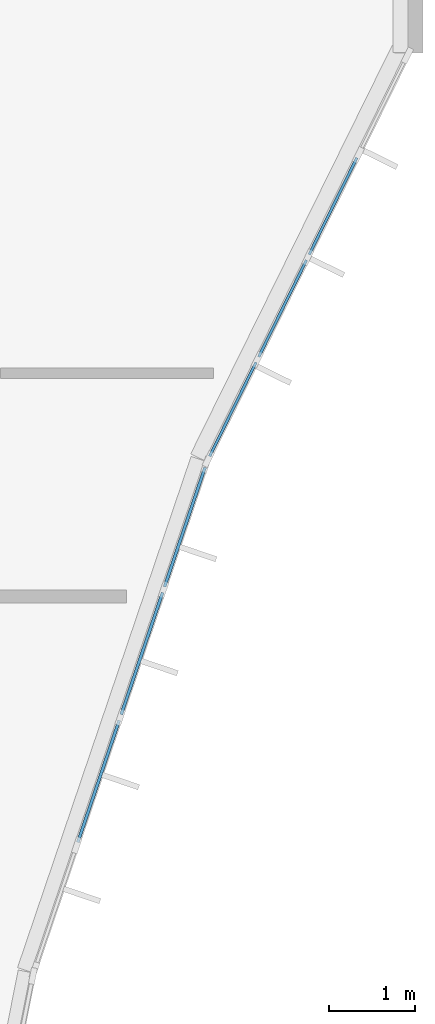
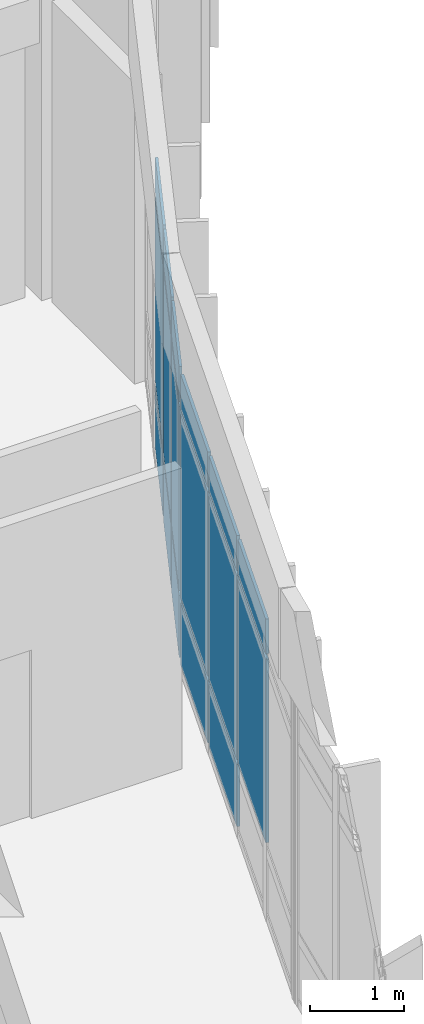
# One storey, part 71 of 119: 17 plates, 2 elements without a shape of their own.
"""IFC4 building model written with IfcOpenShell, lengths in metres."""

from ifc_helpers import new_model, si_unit, direction, frame, origin, origin_2d, place, context, subcontext, project, spatial, rectangle, extrude, material, layer, layer_set, type_object, element, aggregate, save


model = new_model("IFC4")

# Units and contexts
model_context = context("Model", 3, precision=1e-05, world=origin(), true_north=direction((0.0, 1.0)))
body_context = subcontext(model_context, "Body", "Model", "MODEL_VIEW")
ifc_project = project(units=[si_unit("LENGTHUNIT", "METRE"), si_unit("AREAUNIT", "SQUARE_METRE"), si_unit("VOLUMEUNIT", "CUBIC_METRE"), si_unit("PLANEANGLEUNIT", "RADIAN"), si_unit("MASSUNIT", "GRAM", prefix="KILO")], contexts=[model_context])

# Site, building, storey
site_placement = place(None, origin())
site = spatial("IfcSite", under=ifc_project, at=site_placement, CompositionType="ELEMENT")
building_placement = place(site_placement, origin())
building = spatial("IfcBuilding", under=site, at=building_placement, Name="Bramfleet General Hospital", CompositionType="ELEMENT")
storey_placement = place(building_placement, frame((0.0, 0.0, 14.39990234375)))
storey = spatial("IfcBuildingStorey", under=building, at=storey_placement, Name="L03", CompositionType="ELEMENT", Elevation=14.39990234375)

# Curtain wall, plates
ifc_material_1 = material(Name="Anodised aluminium and low-E triple glazing", Category="aluminium")
ifc_layer_1 = layer(ifc_material_1, 0.179931640625, Name="CWT-CW-14")
ifc_layer_set_1 = layer_set([ifc_layer_1], Name="Anodised aluminium and low-E triple glazing")
curtain_wall_type_1 = type_object("IfcCurtainWallType", Name="CWT-CW-14", PredefinedType="USERDEFINED", material=ifc_layer_set_1)
curtain_wall_1_placement = place(storey_placement, origin())
curtain_wall_1 = element("IfcCurtainWall", 1, at=curtain_wall_1_placement, inside=storey, type_object=curtain_wall_type_1, Name="L03 Curtain Wall 158", ObjectType="Stick curtain wall", PredefinedType="USERDEFINED")
ifc_material_2 = material(Name="Low-E laminated safety glass", Category="glass")
ifc_layer_2 = layer(ifc_material_2, 0.031982421875, Name="CWP-GLZ-2")
ifc_layer_set_2 = layer_set([ifc_layer_2], Name="Low-E laminated safety glass")
plate_type_1 = type_object("IfcPlateType", Name="CWP-GLZ-2", PredefinedType="CURTAIN_PANEL", material=ifc_layer_set_2)
plate_1_placement = place(storey_placement, frame((133.520263671875, 63.342041015625, 0.06494140625), z_axis=(0.0, 0.0, 1.0), x_axis=(-0.442304948782, -0.896864723513, 0.0)))
plate_1 = element("IfcPlate", 2, at=plate_1_placement, type_object=plate_type_1, Name="CW-14 panel 2.1", PredefinedType="CURTAIN_PANEL", context=body_context, shape_type="SweptSolid", body=[
    extrude(rectangle(XDim=1.256103515625, YDim=0.031982421875, at=origin_2d()), origin(), (0.0, 0.0, 1.0), 0.802490234375),
])
plate_2_placement = place(storey_placement, frame((133.520263671875, 63.342041015625, 0.9326171875), z_axis=(0.0, 0.0, 1.0), x_axis=(-0.442304948782, -0.896864723513, 0.0)))
plate_2 = element("IfcPlate", 3, at=plate_2_placement, type_object=plate_type_1, Name="CW-14 panel 2.2", PredefinedType="CURTAIN_PANEL", context=body_context, shape_type="SweptSolid", body=[
    extrude(rectangle(XDim=1.256103515625, YDim=0.031982421875, at=origin_2d()), origin(), (0.0, 0.0, 1.0), 2.375),
])
plate_3_placement = place(storey_placement, frame((133.520263671875, 63.342041015625, 3.37255859375), z_axis=(0.0, 0.0, 1.0), x_axis=(-0.442304948782, -0.896864723513, 0.0)))
plate_3 = element("IfcPlate", 4, at=plate_3_placement, type_object=plate_type_1, Name="CW-14 panel 2.3", PredefinedType="CURTAIN_PANEL", context=body_context, shape_type="SweptSolid", body=[
    extrude(rectangle(XDim=1.256103515625, YDim=0.031982421875, at=origin_2d()), origin(), (0.0, 0.0, 1.0), 0.452392578125),
])
plate_4_placement = place(storey_placement, frame((132.933837890625, 62.15283203125, 0.06494140625), z_axis=(0.0, 0.0, 1.0), x_axis=(-0.442304948782, -0.896864723513, 0.0)))
plate_4 = element("IfcPlate", 5, at=plate_4_placement, type_object=plate_type_1, Name="CW-14 panel 3.1", PredefinedType="CURTAIN_PANEL", context=body_context, shape_type="SweptSolid", body=[
    extrude(rectangle(XDim=1.256103515625, YDim=0.031982421875, at=origin_2d()), origin(), (0.0, 0.0, 1.0), 0.802490234375),
])
plate_5_placement = place(storey_placement, frame((132.933837890625, 62.15283203125, 0.9326171875), z_axis=(0.0, 0.0, 1.0), x_axis=(-0.442304948782, -0.896864723513, 0.0)))
plate_5 = element("IfcPlate", 6, at=plate_5_placement, type_object=plate_type_1, Name="CW-14 panel 3.2", PredefinedType="CURTAIN_PANEL", context=body_context, shape_type="SweptSolid", body=[
    extrude(rectangle(XDim=1.256103515625, YDim=0.031982421875, at=origin_2d()), origin(), (0.0, 0.0, 1.0), 2.375),
])
plate_6_placement = place(storey_placement, frame((132.933837890625, 62.15283203125, 3.37255859375), z_axis=(0.0, 0.0, 1.0), x_axis=(-0.442304948782, -0.896864723513, 0.0)))
plate_6 = element("IfcPlate", 7, at=plate_6_placement, type_object=plate_type_1, Name="CW-14 panel 3.3", PredefinedType="CURTAIN_PANEL", context=body_context, shape_type="SweptSolid", body=[
    extrude(rectangle(XDim=1.256103515625, YDim=0.031982421875, at=origin_2d()), origin(), (0.0, 0.0, 1.0), 0.452392578125),
])
plate_7_placement = place(storey_placement, frame((132.35498046875, 60.979248046875, 0.06494140625), z_axis=(0.0, 0.0, 1.0), x_axis=(-0.442304948782, -0.896864723513, 0.0)))
plate_7 = element("IfcPlate", 8, at=plate_7_placement, type_object=plate_type_1, Name="CW-14 panel 4.1", PredefinedType="CURTAIN_PANEL", context=body_context, shape_type="SweptSolid", body=[
    extrude(rectangle(XDim=1.220947265625, YDim=0.031982421875, at=origin_2d()), origin(), (0.0, 0.0, 1.0), 0.802490234375),
])
plate_8_placement = place(storey_placement, frame((132.35498046875, 60.979248046875, 0.9326171875), z_axis=(0.0, 0.0, 1.0), x_axis=(-0.442304948782, -0.896864723513, 0.0)))
plate_8 = element("IfcPlate", 9, at=plate_8_placement, type_object=plate_type_1, Name="CW-14 panel 4.2", PredefinedType="CURTAIN_PANEL", context=body_context, shape_type="SweptSolid", body=[
    extrude(rectangle(XDim=1.220947265625, YDim=0.031982421875, at=origin_2d()), origin(), (0.0, 0.0, 1.0), 2.375),
])
plate_9_placement = place(storey_placement, frame((132.35498046875, 60.979248046875, 3.37255859375), z_axis=(0.0, 0.0, 1.0), x_axis=(-0.442304948782, -0.896864723513, 0.0)))
plate_9 = element("IfcPlate", 10, at=plate_9_placement, type_object=plate_type_1, Name="CW-14 panel 4.3", PredefinedType="CURTAIN_PANEL", context=body_context, shape_type="SweptSolid", body=[
    extrude(rectangle(XDim=1.220947265625, YDim=0.031982421875, at=origin_2d()), origin(), (0.0, 0.0, 1.0), 0.452392578125),
])
aggregate(curtain_wall_1, [plate_1, plate_2, plate_3, plate_4, plate_5, plate_6, plate_7, plate_8, plate_9])

ifc_layer_3 = layer(ifc_material_1, 0.179931640625, Name="CWT-CW-15")
ifc_layer_set_3 = layer_set([ifc_layer_3], Name="Anodised aluminium and low-E triple glazing")
curtain_wall_type_2 = type_object("IfcCurtainWallType", Name="CWT-CW-15", PredefinedType="USERDEFINED", material=ifc_layer_set_3)
curtain_wall_2_placement = place(storey_placement, origin())
curtain_wall_2 = element("IfcCurtainWall", 11, at=curtain_wall_2_placement, inside=storey, type_object=curtain_wall_type_2, Name="L03 Curtain Wall 159", ObjectType="Stick curtain wall", PredefinedType="USERDEFINED")
ifc_layer_4 = layer(ifc_material_2, 0.035888671875, Name="CWP-GLZ-3")
ifc_layer_set_4 = layer_set([ifc_layer_4], Name="Low-E laminated safety glass")
plate_type_2 = type_object("IfcPlateType", Name="CWP-GLZ-3", PredefinedType="CURTAIN_PANEL", material=ifc_layer_set_4)
plate_10_placement = place(storey_placement, frame((131.796142578125, 59.609130859375, 0.06494140625), z_axis=(0.0, 0.0, 1.0), x_axis=(-0.321383054181, -0.946949276617, 0.0)))
plate_10 = element("IfcPlate", 12, at=plate_10_placement, type_object=plate_type_2, Name="CW-15 panel 1.1", PredefinedType="CURTAIN_PANEL", context=body_context, shape_type="SweptSolid", body=[
    extrude(rectangle(XDim=1.46484375, YDim=0.035888671875, at=origin_2d()), origin(), (0.0, 0.0, 1.0), 0.802490234375),
])
plate_11_placement = place(storey_placement, frame((131.796142578125, 59.609130859375, 0.9326171875), z_axis=(0.0, 0.0, 1.0), x_axis=(-0.321383054181, -0.946949276617, 0.0)))
plate_11 = element("IfcPlate", 13, at=plate_11_placement, type_object=plate_type_2, Name="CW-15 panel 1.2", PredefinedType="CURTAIN_PANEL", context=body_context, shape_type="SweptSolid", body=[
    extrude(rectangle(XDim=1.46484375, YDim=0.035888671875, at=origin_2d()), origin(), (0.0, 0.0, 1.0), 2.375),
])
plate_12_placement = place(storey_placement, frame((131.796142578125, 59.609130859375, 3.37255859375), z_axis=(0.0, 0.0, 1.0), x_axis=(-0.321383054181, -0.946949276617, 0.0)))
plate_12 = element("IfcPlate", 14, at=plate_12_placement, type_object=plate_type_2, Name="CW-15 panel 1.3", PredefinedType="CURTAIN_PANEL", context=body_context, shape_type="SweptSolid", body=[
    extrude(rectangle(XDim=1.46484375, YDim=0.035888671875, at=origin_2d()), origin(), (0.0, 0.0, 1.0), 0.452392578125),
])
plate_13_placement = place(storey_placement, frame((131.29736328125, 58.13916015625, 0.06494140625), z_axis=(0.0, 0.0, 1.0), x_axis=(-0.321383054181, -0.946949276617, 0.0)))
plate_13 = element("IfcPlate", 15, at=plate_13_placement, type_object=plate_type_2, Name="CW-15 panel 2.1", PredefinedType="CURTAIN_PANEL", context=body_context, shape_type="SweptSolid", body=[
    extrude(rectangle(XDim=1.499755859375, YDim=0.035888671875, at=origin_2d()), origin(), (0.0, 0.0, 1.0), 0.802490234375),
])
plate_14_placement = place(storey_placement, frame((131.29736328125, 58.13916015625, 0.9326171875), z_axis=(0.0, 0.0, 1.0), x_axis=(-0.321383054181, -0.946949276617, 0.0)))
plate_14 = element("IfcPlate", 16, at=plate_14_placement, type_object=plate_type_2, Name="CW-15 panel 2.2", PredefinedType="CURTAIN_PANEL", context=body_context, shape_type="SweptSolid", body=[
    extrude(rectangle(XDim=1.499755859375, YDim=0.035888671875, at=origin_2d()), origin(), (0.0, 0.0, 1.0), 2.375),
])
plate_15_placement = place(storey_placement, frame((131.29736328125, 58.13916015625, 3.37255859375), z_axis=(0.0, 0.0, 1.0), x_axis=(-0.321383054181, -0.946949276617, 0.0)))
plate_15 = element("IfcPlate", 17, at=plate_15_placement, type_object=plate_type_2, Name="CW-15 panel 2.3", PredefinedType="CURTAIN_PANEL", context=body_context, shape_type="SweptSolid", body=[
    extrude(rectangle(XDim=1.499755859375, YDim=0.035888671875, at=origin_2d()), origin(), (0.0, 0.0, 1.0), 0.452392578125),
])
plate_16_placement = place(storey_placement, frame((130.792724609375, 56.65283203125, 0.9326171875), z_axis=(0.0, 0.0, 1.0), x_axis=(-0.321383054181, -0.946949276617, 0.0)))
plate_16 = element("IfcPlate", 18, at=plate_16_placement, type_object=plate_type_2, Name="CW-15 panel 3.2", PredefinedType="CURTAIN_PANEL", context=body_context, shape_type="SweptSolid", body=[
    extrude(rectangle(XDim=1.499755859375, YDim=0.035888671875, at=origin_2d()), origin(), (0.0, 0.0, 1.0), 2.375),
])
plate_17_placement = place(storey_placement, frame((130.792724609375, 56.65283203125, 3.37255859375), z_axis=(0.0, 0.0, 1.0), x_axis=(-0.321383054181, -0.946949276617, 0.0)))
plate_17 = element("IfcPlate", 19, at=plate_17_placement, type_object=plate_type_2, Name="CW-15 panel 3.3", PredefinedType="CURTAIN_PANEL", context=body_context, shape_type="SweptSolid", body=[
    extrude(rectangle(XDim=1.499755859375, YDim=0.035888671875, at=origin_2d()), origin(), (0.0, 0.0, 1.0), 0.452392578125),
])
aggregate(curtain_wall_2, [plate_10, plate_11, plate_12, plate_13, plate_14, plate_15, plate_16, plate_17])

save(model, "model.ifc")
